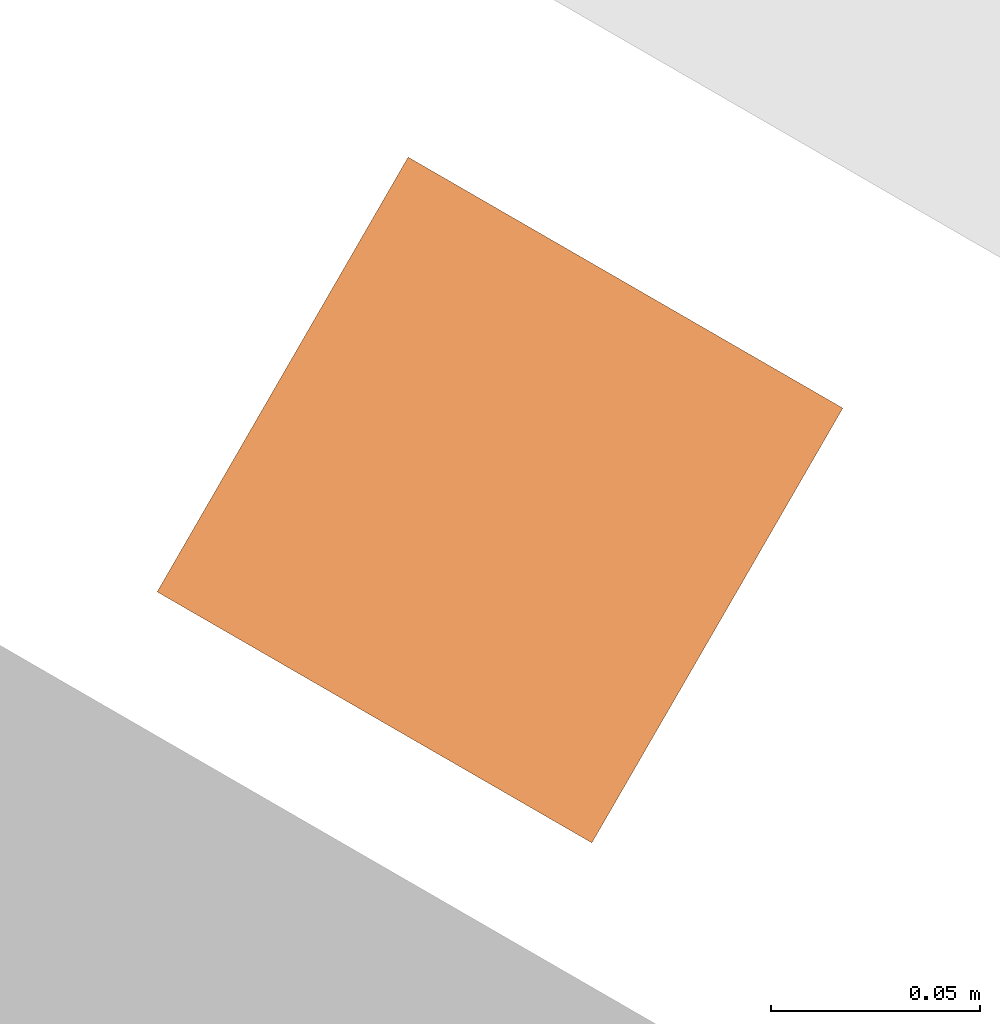
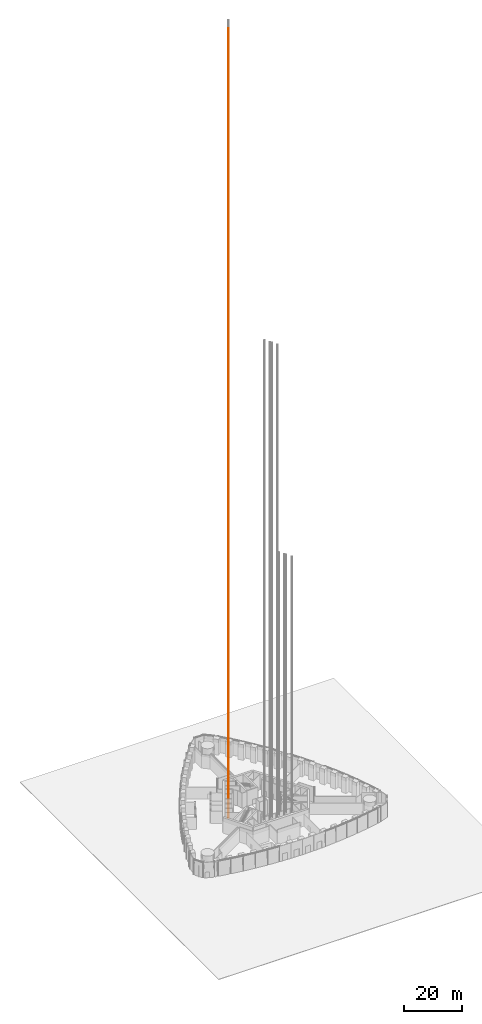
# One storey, part 35 of 43: 1 proxy.
"""IFC4 building model written with IfcOpenShell, lengths in metres."""

import ifcopenshell
import ifcopenshell.guid

model = None  # the IFC model being written
_history = None  # IfcOwnerHistory: only IFC2X3 demands one
_inside = {}  # id of a spatial element -> (the spatial element, [elements in it])
_under = {}  # id of a project, library or spatial element -> (it, [spatial elements below it])
_declared = {}  # id of a project -> (the project, [libraries it declares])
_typed = {}  # id of a type object -> (the type object, [elements of that type])
_made_of = {}  # id of a material, layer set ... -> (it, [elements and type objects made of it])


def new_model(schema):
    """Start an empty IFC model of exactly this schema.

    Asked for "IFC4X3", IfcOpenShell would pick the latest addendum, in which some entities
    have other attributes; the version numbers below select the first issue.
    IFC2X3 requires an IfcOwnerHistory on every rooted entity: one is made here for all.
    """
    global model, _history
    if schema == "IFC4X3":
        model = ifcopenshell.file(schema_version=(4, 3, 0, 0))
    else:
        model = ifcopenshell.file(schema=schema)
    _inside.clear()
    _under.clear()
    _declared.clear()
    _typed.clear()
    _made_of.clear()
    _history = None
    if model.schema == "IFC2X3":
        org = make("IfcOrganization", Name="unknown")
        user = make(
            "IfcPersonAndOrganization",
            ThePerson=make("IfcPerson", FamilyName="unknown"),
            TheOrganization=org,
        )
        app = make(
            "IfcApplication",
            ApplicationDeveloper=org,
            Version="unknown",
            ApplicationFullName="unknown",
            ApplicationIdentifier="unknown",
        )
        _history = make(
            "IfcOwnerHistory",
            OwningUser=user,
            OwningApplication=app,
            ChangeAction="ADDED",
            CreationDate=0,
        )
    return model


def make(cls, **values):
    """One entity of the class cls with the attributes given. An attribute that is None is left unset."""
    return model.create_entity(
        cls, **{name: value for name, value in values.items() if value is not None}
    )


def rooted(cls, **values):
    """An entity with a GlobalId (a new one), such as an element, a storey or a relation."""
    return make(cls, GlobalId=ifcopenshell.guid.new(), OwnerHistory=_history, **values)


def si_unit(unit_type, name, prefix=None):
    """IfcSIUnit, for example si_unit("LENGTHUNIT", "METRE", prefix="MILLI")."""
    return make("IfcSIUnit", UnitType=unit_type, Prefix=prefix, Name=name)


def assignment(units):
    """IfcUnitAssignment: the units of a project."""
    return None if units is None else make("IfcUnitAssignment", Units=units)


def point(xyz):
    """IfcCartesianPoint."""
    return None if xyz is None else make("IfcCartesianPoint", Coordinates=xyz)


def direction(xyz):
    """IfcDirection."""
    return None if xyz is None else make("IfcDirection", DirectionRatios=xyz)


def frame(location, z_axis=None, x_axis=None):
    """IfcAxis2Placement3D, a coordinate frame: its origin and axes. An axis left out is left unset."""
    return make(
        "IfcAxis2Placement3D",
        Location=point(location),
        Axis=direction(z_axis),
        RefDirection=direction(x_axis),
    )


def frame_2d(location, x_axis=None):
    """IfcAxis2Placement2D, a coordinate frame in the plane: its origin and x axis."""
    return make(
        "IfcAxis2Placement2D", Location=point(location), RefDirection=direction(x_axis)
    )


def origin():
    """The frame at (0, 0, 0) with its axes left unset."""
    return frame((0.0, 0.0, 0.0))


def origin_2d():
    """The frame at (0, 0) in the plane with its x axis left unset."""
    return frame_2d((0.0, 0.0))


def place(relative_to, where):
    """IfcLocalPlacement: puts the frame where relative to a parent placement (None: the world)."""
    return make(
        "IfcLocalPlacement", PlacementRelTo=relative_to, RelativePlacement=where
    )


def context(
    kind, dimensions, precision=None, world=None, true_north=None, identifier=None
):
    """IfcGeometricRepresentationContext, for example the 3D "Model" context."""
    return make(
        "IfcGeometricRepresentationContext",
        ContextIdentifier=identifier,
        ContextType=kind,
        CoordinateSpaceDimension=dimensions,
        Precision=precision,
        WorldCoordinateSystem=world,
        TrueNorth=true_north,
    )


def subcontext(parent, identifier, kind, view, scale=None):
    """IfcGeometricRepresentationSubContext, for example "Body" below "Model"."""
    return make(
        "IfcGeometricRepresentationSubContext",
        ContextIdentifier=identifier,
        ContextType=kind,
        ParentContext=parent,
        TargetScale=scale,
        TargetView=view,
    )


def project(units=None, contexts=None):
    """IfcProject with its units and contexts."""
    return rooted(
        "IfcProject",
        Name="project",
        RepresentationContexts=contexts,
        UnitsInContext=assignment(units),
    )


def spatial(cls, under=None, at=None, **own):
    """A site, building, storey or space (cls), placed at a placement, below another one or the project."""
    s = rooted(cls, ObjectPlacement=at, **own)
    if under is not None:
        _under.setdefault(under.id(), (under, []))[1].append(s)
    return s


def profile(cls, at=None, kind="AREA", **sizes):
    """A parametric profile (cls). Its sizes go by their IFC names, for example OverallWidth=200.0."""
    return make(cls, ProfileType=kind, Position=at, **sizes)


def rectangle(**sizes):
    """IfcRectangleProfileDef."""
    return profile("IfcRectangleProfileDef", **sizes)


def extrude(swept, where, along, depth):
    """IfcExtrudedAreaSolid: the profile swept, set in the frame where, extruded along a direction by depth."""
    return make(
        "IfcExtrudedAreaSolid",
        SweptArea=swept,
        Position=where,
        ExtrudedDirection=direction(along),
        Depth=depth,
    )


def shape(context_of_items, identifier, shape_type, items):
    """IfcShapeRepresentation: the items that make up one representation, for example the "Body"."""
    return make(
        "IfcShapeRepresentation",
        ContextOfItems=context_of_items,
        RepresentationIdentifier=identifier,
        RepresentationType=shape_type,
        Items=items,
    )


def made_of(thing, what):
    """Note that an element or type object is made of a material, layer set ...; save() writes the relation."""
    if what is not None:
        _made_of.setdefault(what.id(), (what, []))[1].append(thing)
    return thing


def element(
    cls,
    number,
    at=None,
    inside=None,
    cuts=None,
    type_object=None,
    material=None,
    context=None,
    identifier="Body",
    shape_type=None,
    held_by="IfcProductDefinitionShape",
    body=None,
    shapes=None,
    **own,
):
    """One element of the class cls, such as IfcWall. Its Tag is "e" and its number.

    at: its placement. inside: the storey or other place that contains it. cuts: it is an
    opening in that element (IfcRelVoidsElement). A single representation is given by context,
    identifier, shape_type and body (its items); several are given by shapes. held_by: the class
    of the entity that holds the representations. save() writes the other relations.
    """
    e = rooted(cls, Tag="e%d" % number, ObjectPlacement=at, **own)
    if body is not None:
        shapes = [shape(context, identifier, shape_type, body)]
    if shapes is not None:
        e.Representation = make(held_by, Representations=shapes)
    if inside is not None:
        _inside.setdefault(inside.id(), (inside, []))[1].append(e)
    if cuts is not None:
        rooted(
            "IfcRelVoidsElement", RelatingBuildingElement=cuts, RelatedOpeningElement=e
        )
    if type_object is not None:
        _typed.setdefault(type_object.id(), (type_object, []))[1].append(e)
    return made_of(e, material)


def aggregate(whole, parts):
    """IfcRelAggregates: a whole, such as a stair, and the parts it consists of."""
    return rooted("IfcRelAggregates", RelatingObject=whole, RelatedObjects=parts)


def save(model, path):
    """Write the relations noted so far, then the file.

    IfcRelAggregates (storeys below a building ...), IfcRelContainedInSpatialStructure (elements
    in a storey), IfcRelDefinesByType, IfcRelAssociatesMaterial and IfcRelDeclares: one each for
    every whole, place, type object, material and project.
    """
    for whole, parts in _under.values():
        aggregate(whole, parts)
    for where, things in _inside.values():
        rooted(
            "IfcRelContainedInSpatialStructure",
            RelatedElements=things,
            RelatingStructure=where,
        )
    for kind, things in _typed.values():
        rooted("IfcRelDefinesByType", RelatedObjects=things, RelatingType=kind)
    for what, things in _made_of.values():
        rooted("IfcRelAssociatesMaterial", RelatedObjects=things, RelatingMaterial=what)
    for by, libraries in _declared.values():
        rooted("IfcRelDeclares", RelatingContext=by, RelatedDefinitions=libraries)
    model.write(path)


model = new_model("IFC4")

# Units and contexts
model_context = context("Model", 3, precision=1e-05, world=origin(), true_north=direction((0.0, 1.0)))
body_context = subcontext(model_context, "Body", "Model", "MODEL_VIEW")
ifc_project = project(units=[si_unit("LENGTHUNIT", "METRE"), si_unit("AREAUNIT", "SQUARE_METRE"), si_unit("VOLUMEUNIT", "CUBIC_METRE"), si_unit("PLANEANGLEUNIT", "RADIAN"), si_unit("MASSUNIT", "GRAM", prefix="KILO")], contexts=[model_context])

# Site, building, storey
site_placement = place(None, origin())
site = spatial("IfcSite", under=ifc_project, at=site_placement, CompositionType="ELEMENT")
building_placement = place(site_placement, origin())
building = spatial("IfcBuilding", under=site, at=building_placement, Name="Trefoil Bronze Tower", CompositionType="ELEMENT")
storey_placement = place(building_placement, origin())
storey = spatial("IfcBuildingStorey", under=building, at=storey_placement, Name="L00", CompositionType="ELEMENT", Elevation=0.0)

# Proxy
proxy_placement = place(storey_placement, frame((-9.639404296875, 5.928955078125, -1.60009765625), z_axis=(0.0, 0.0, 1.0), x_axis=(-0.5, -0.866025403784, 0.0)))
element("IfcBuildingElementProxy", 1, at=proxy_placement, inside=storey, Name="Lift S6 guide rail 2", ObjectType="LIFT GUIDE RAIL", PredefinedType="USERDEFINED", context=body_context, shape_type="SweptSolid", body=[
    extrude(rectangle(XDim=0.1201171875, YDim=0.1201171875, at=origin_2d()), origin(), (0.0, 0.0, 1.0), 329.550048828125),
])

save(model, "model.ifc")
